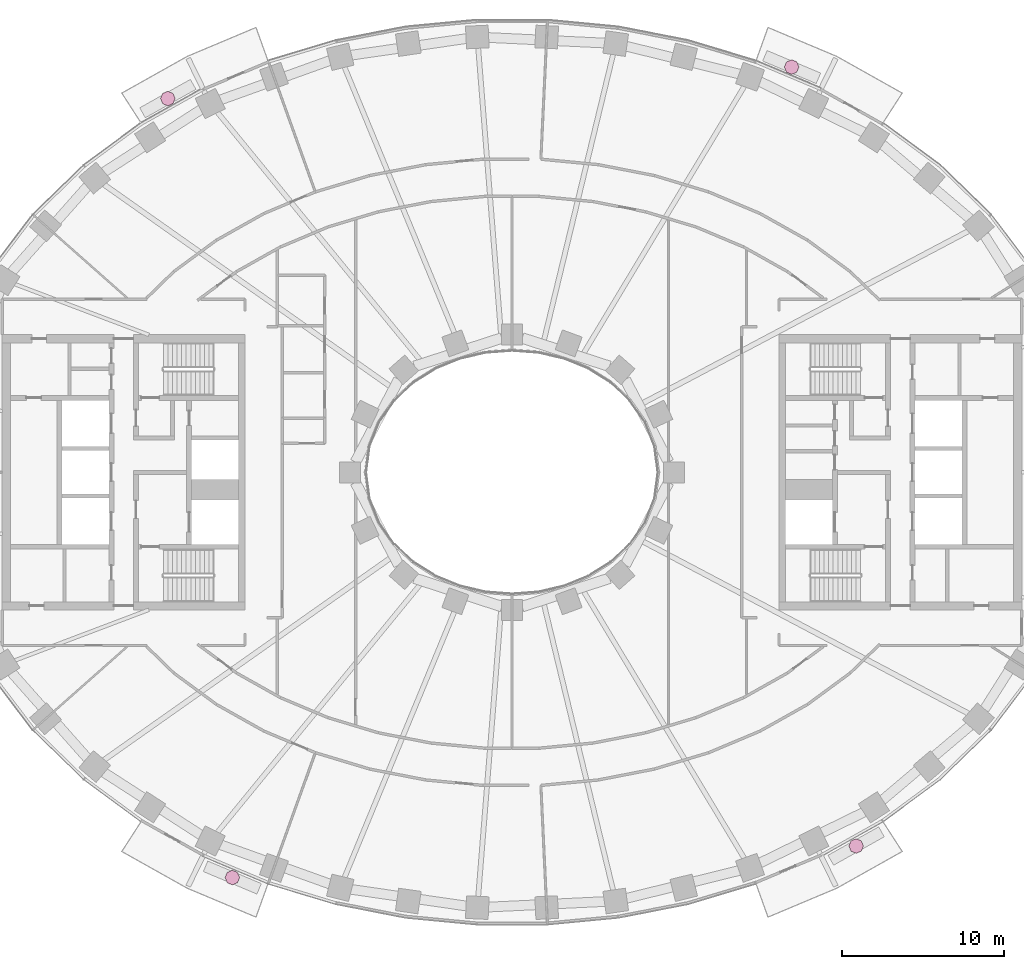
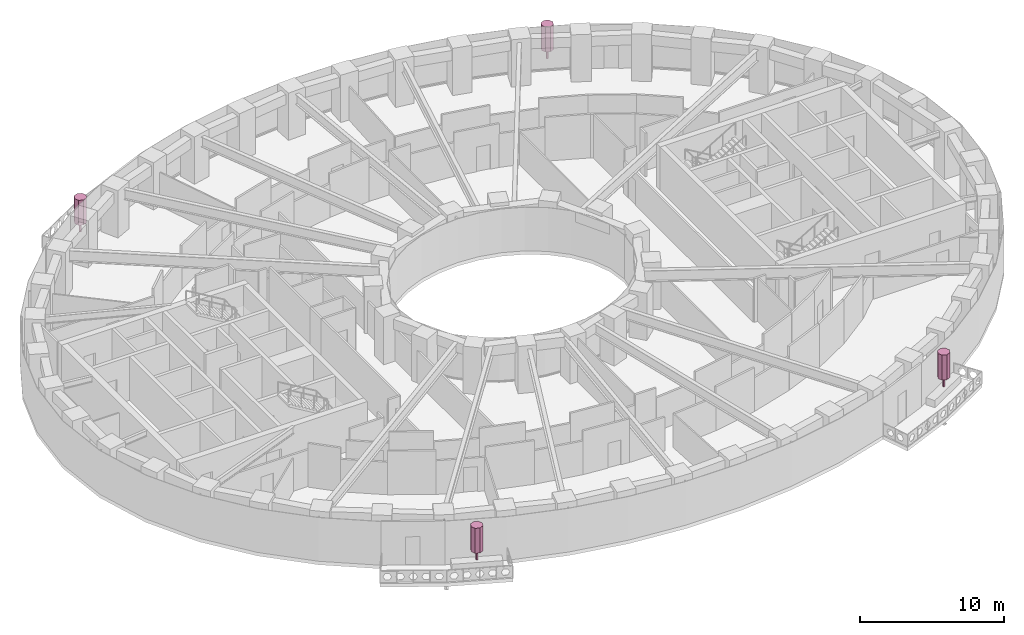
# One storey, part 16 of 16: 4 furnishings.
"""IFC4 building model written with IfcOpenShell, lengths in metres."""

import ifcopenshell
import ifcopenshell.guid

model = None  # the IFC model being written
_history = None  # IfcOwnerHistory: only IFC2X3 demands one
_inside = {}  # id of a spatial element -> (the spatial element, [elements in it])
_under = {}  # id of a project, library or spatial element -> (it, [spatial elements below it])
_declared = {}  # id of a project -> (the project, [libraries it declares])
_typed = {}  # id of a type object -> (the type object, [elements of that type])
_made_of = {}  # id of a material, layer set ... -> (it, [elements and type objects made of it])


def new_model(schema):
    """Start an empty IFC model of exactly this schema.

    Asked for "IFC4X3", IfcOpenShell would pick the latest addendum, in which some entities
    have other attributes; the version numbers below select the first issue.
    IFC2X3 requires an IfcOwnerHistory on every rooted entity: one is made here for all.
    """
    global model, _history
    if schema == "IFC4X3":
        model = ifcopenshell.file(schema_version=(4, 3, 0, 0))
    else:
        model = ifcopenshell.file(schema=schema)
    _inside.clear()
    _under.clear()
    _declared.clear()
    _typed.clear()
    _made_of.clear()
    _history = None
    if model.schema == "IFC2X3":
        org = make("IfcOrganization", Name="unknown")
        user = make(
            "IfcPersonAndOrganization",
            ThePerson=make("IfcPerson", FamilyName="unknown"),
            TheOrganization=org,
        )
        app = make(
            "IfcApplication",
            ApplicationDeveloper=org,
            Version="unknown",
            ApplicationFullName="unknown",
            ApplicationIdentifier="unknown",
        )
        _history = make(
            "IfcOwnerHistory",
            OwningUser=user,
            OwningApplication=app,
            ChangeAction="ADDED",
            CreationDate=0,
        )
    return model


def make(cls, **values):
    """One entity of the class cls with the attributes given. An attribute that is None is left unset."""
    return model.create_entity(
        cls, **{name: value for name, value in values.items() if value is not None}
    )


def rooted(cls, **values):
    """An entity with a GlobalId (a new one), such as an element, a storey or a relation."""
    return make(cls, GlobalId=ifcopenshell.guid.new(), OwnerHistory=_history, **values)


def si_unit(unit_type, name, prefix=None):
    """IfcSIUnit, for example si_unit("LENGTHUNIT", "METRE", prefix="MILLI")."""
    return make("IfcSIUnit", UnitType=unit_type, Prefix=prefix, Name=name)


def assignment(units):
    """IfcUnitAssignment: the units of a project."""
    return None if units is None else make("IfcUnitAssignment", Units=units)


def point(xyz):
    """IfcCartesianPoint."""
    return None if xyz is None else make("IfcCartesianPoint", Coordinates=xyz)


def direction(xyz):
    """IfcDirection."""
    return None if xyz is None else make("IfcDirection", DirectionRatios=xyz)


def frame(location, z_axis=None, x_axis=None):
    """IfcAxis2Placement3D, a coordinate frame: its origin and axes. An axis left out is left unset."""
    return make(
        "IfcAxis2Placement3D",
        Location=point(location),
        Axis=direction(z_axis),
        RefDirection=direction(x_axis),
    )


def frame_2d(location, x_axis=None):
    """IfcAxis2Placement2D, a coordinate frame in the plane: its origin and x axis."""
    return make(
        "IfcAxis2Placement2D", Location=point(location), RefDirection=direction(x_axis)
    )


def origin():
    """The frame at (0, 0, 0) with its axes left unset."""
    return frame((0.0, 0.0, 0.0))


def origin_2d():
    """The frame at (0, 0) in the plane with its x axis left unset."""
    return frame_2d((0.0, 0.0))


def place(relative_to, where):
    """IfcLocalPlacement: puts the frame where relative to a parent placement (None: the world)."""
    return make(
        "IfcLocalPlacement", PlacementRelTo=relative_to, RelativePlacement=where
    )


def context(
    kind, dimensions, precision=None, world=None, true_north=None, identifier=None
):
    """IfcGeometricRepresentationContext, for example the 3D "Model" context."""
    return make(
        "IfcGeometricRepresentationContext",
        ContextIdentifier=identifier,
        ContextType=kind,
        CoordinateSpaceDimension=dimensions,
        Precision=precision,
        WorldCoordinateSystem=world,
        TrueNorth=true_north,
    )


def subcontext(parent, identifier, kind, view, scale=None):
    """IfcGeometricRepresentationSubContext, for example "Body" below "Model"."""
    return make(
        "IfcGeometricRepresentationSubContext",
        ContextIdentifier=identifier,
        ContextType=kind,
        ParentContext=parent,
        TargetScale=scale,
        TargetView=view,
    )


def project(units=None, contexts=None):
    """IfcProject with its units and contexts."""
    return rooted(
        "IfcProject",
        Name="project",
        RepresentationContexts=contexts,
        UnitsInContext=assignment(units),
    )


def spatial(cls, under=None, at=None, **own):
    """A site, building, storey or space (cls), placed at a placement, below another one or the project."""
    s = rooted(cls, ObjectPlacement=at, **own)
    if under is not None:
        _under.setdefault(under.id(), (under, []))[1].append(s)
    return s


def polyline(points):
    """IfcPolyline through the points."""
    return make("IfcPolyline", Points=[point(p) for p in points])


def profile(cls, at=None, kind="AREA", **sizes):
    """A parametric profile (cls). Its sizes go by their IFC names, for example OverallWidth=200.0."""
    return make(cls, ProfileType=kind, Position=at, **sizes)


def rectangle(**sizes):
    """IfcRectangleProfileDef."""
    return profile("IfcRectangleProfileDef", **sizes)


def outline(outer, holes=None, kind="AREA"):
    """IfcArbitraryClosedProfileDef: a profile drawn as a closed curve; with holes, ...WithVoids."""
    if holes is None:
        return make("IfcArbitraryClosedProfileDef", ProfileType=kind, OuterCurve=outer)
    return make(
        "IfcArbitraryProfileDefWithVoids",
        ProfileType=kind,
        OuterCurve=outer,
        InnerCurves=holes,
    )


def extrude(swept, where, along, depth):
    """IfcExtrudedAreaSolid: the profile swept, set in the frame where, extruded along a direction by depth."""
    return make(
        "IfcExtrudedAreaSolid",
        SweptArea=swept,
        Position=where,
        ExtrudedDirection=direction(along),
        Depth=depth,
    )


def shape(context_of_items, identifier, shape_type, items):
    """IfcShapeRepresentation: the items that make up one representation, for example the "Body"."""
    return make(
        "IfcShapeRepresentation",
        ContextOfItems=context_of_items,
        RepresentationIdentifier=identifier,
        RepresentationType=shape_type,
        Items=items,
    )


def material(Name=None, Category=None):
    """IfcMaterial."""
    return make("IfcMaterial", Name=Name, Category=Category)


def made_of(thing, what):
    """Note that an element or type object is made of a material, layer set ...; save() writes the relation."""
    if what is not None:
        _made_of.setdefault(what.id(), (what, []))[1].append(thing)
    return thing


def type_object(cls, material=None, **own):
    """A type object (cls), such as IfcWallType, which elements share."""
    return made_of(rooted(cls, **own), material)


def element(
    cls,
    number,
    at=None,
    inside=None,
    cuts=None,
    type_object=None,
    material=None,
    context=None,
    identifier="Body",
    shape_type=None,
    held_by="IfcProductDefinitionShape",
    body=None,
    shapes=None,
    **own,
):
    """One element of the class cls, such as IfcWall. Its Tag is "e" and its number.

    at: its placement. inside: the storey or other place that contains it. cuts: it is an
    opening in that element (IfcRelVoidsElement). A single representation is given by context,
    identifier, shape_type and body (its items); several are given by shapes. held_by: the class
    of the entity that holds the representations. save() writes the other relations.
    """
    e = rooted(cls, Tag="e%d" % number, ObjectPlacement=at, **own)
    if body is not None:
        shapes = [shape(context, identifier, shape_type, body)]
    if shapes is not None:
        e.Representation = make(held_by, Representations=shapes)
    if inside is not None:
        _inside.setdefault(inside.id(), (inside, []))[1].append(e)
    if cuts is not None:
        rooted(
            "IfcRelVoidsElement", RelatingBuildingElement=cuts, RelatedOpeningElement=e
        )
    if type_object is not None:
        _typed.setdefault(type_object.id(), (type_object, []))[1].append(e)
    return made_of(e, material)


def aggregate(whole, parts):
    """IfcRelAggregates: a whole, such as a stair, and the parts it consists of."""
    return rooted("IfcRelAggregates", RelatingObject=whole, RelatedObjects=parts)


def save(model, path):
    """Write the relations noted so far, then the file.

    IfcRelAggregates (storeys below a building ...), IfcRelContainedInSpatialStructure (elements
    in a storey), IfcRelDefinesByType, IfcRelAssociatesMaterial and IfcRelDeclares: one each for
    every whole, place, type object, material and project.
    """
    for whole, parts in _under.values():
        aggregate(whole, parts)
    for where, things in _inside.values():
        rooted(
            "IfcRelContainedInSpatialStructure",
            RelatedElements=things,
            RelatingStructure=where,
        )
    for kind, things in _typed.values():
        rooted("IfcRelDefinesByType", RelatedObjects=things, RelatingType=kind)
    for what, things in _made_of.values():
        rooted("IfcRelAssociatesMaterial", RelatedObjects=things, RelatingMaterial=what)
    for by, libraries in _declared.values():
        rooted("IfcRelDeclares", RelatingContext=by, RelatedDefinitions=libraries)
    model.write(path)


model = new_model("IFC4")

# Units and contexts
model_context = context("Model", 3, precision=1e-05, world=origin(), true_north=direction((0.0, 1.0)))
body_context = subcontext(model_context, "Body", "Model", "MODEL_VIEW")
ifc_project = project(units=[si_unit("LENGTHUNIT", "METRE"), si_unit("AREAUNIT", "SQUARE_METRE"), si_unit("VOLUMEUNIT", "CUBIC_METRE"), si_unit("PLANEANGLEUNIT", "RADIAN"), si_unit("MASSUNIT", "GRAM", prefix="KILO")], contexts=[model_context])

# Site, building, storey
site_placement = place(None, origin())
site = spatial("IfcSite", under=ifc_project, at=site_placement, CompositionType="ELEMENT")
building_placement = place(site_placement, origin())
building = spatial("IfcBuilding", under=site, at=building_placement, Name="Noorbagh Ring Tower", CompositionType="ELEMENT")
storey_placement = place(building_placement, frame((0.0, 0.0, 74.5)))
storey = spatial("IfcBuildingStorey", under=building, at=storey_placement, Name="L16", CompositionType="ELEMENT", Elevation=74.5)

# Furnishings
ifc_material = material(Name="Planting foliage green")
furnishing_element_type = type_object("IfcFurnishingElementType", Name="ENV-TREE", material=ifc_material)
for number, where, z_axis, x_axis, name in (
    (1, (17.280517578125, 25.041259765625, 0.60009765625), (0.0, 0.0, 1.0), (1.0, 0.0, 0.0), "Tree BN02"),
    (2, (-21.26513671875, 23.093017578125, 0.60009765625), (0.0, 0.0, 1.0), (1.0, 0.0, 0.0), "Tree BN05"),
    (3, (-17.280517578125, -25.041259765625, 0.60009765625), (0.0, 0.0, 1.0), (1.0, 0.0, 0.0), "Tree BS02"),
    (4, (21.26513671875, -23.093017578125, 0.60009765625), (0.0, 0.0, 1.0), (1.0, 0.0, 0.0), "Tree BS05"),
):
    element("IfcFurnishingElement", number, at=place(storey_placement, frame(where, z_axis=z_axis, x_axis=x_axis)), inside=storey, type_object=furnishing_element_type, Name=name, context=body_context, shape_type="SweptSolid", body=[
        extrude(rectangle(XDim=0.1201171875, YDim=0.1201171875, at=origin_2d()), origin(), (0.0, 0.0, 1.0), 0.825927734375),
        extrude(outline(polyline([(0.449951171875, 0.0), (0.318115234375, 0.318115234375), (0.0, 0.449951171875), (-0.318115234375, 0.318115234375), (-0.449951171875, 0.0), (-0.318115234375, -0.318115234375), (0.0, -0.449951171875), (0.318115234375, -0.318115234375), (0.449951171875, 0.0)])), frame((0.0, 0.0, 0.825927734375)), (0.0, 0.0, 1.0), 2.1240234375),
    ])

save(model, "model.ifc")
